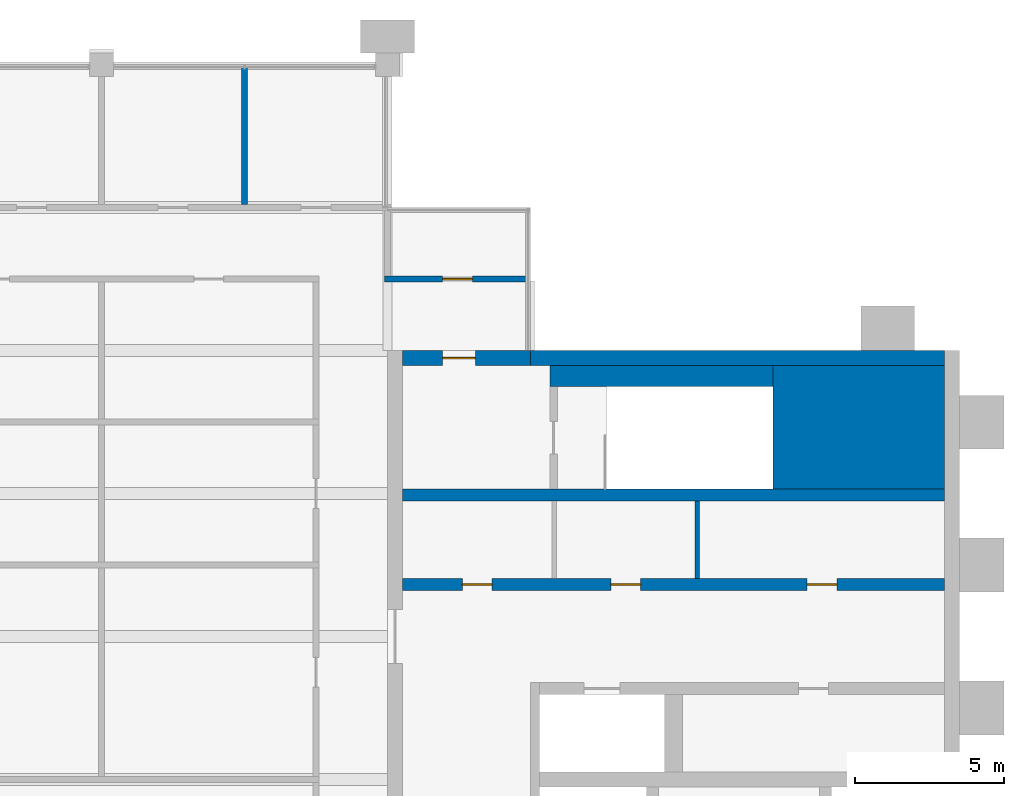
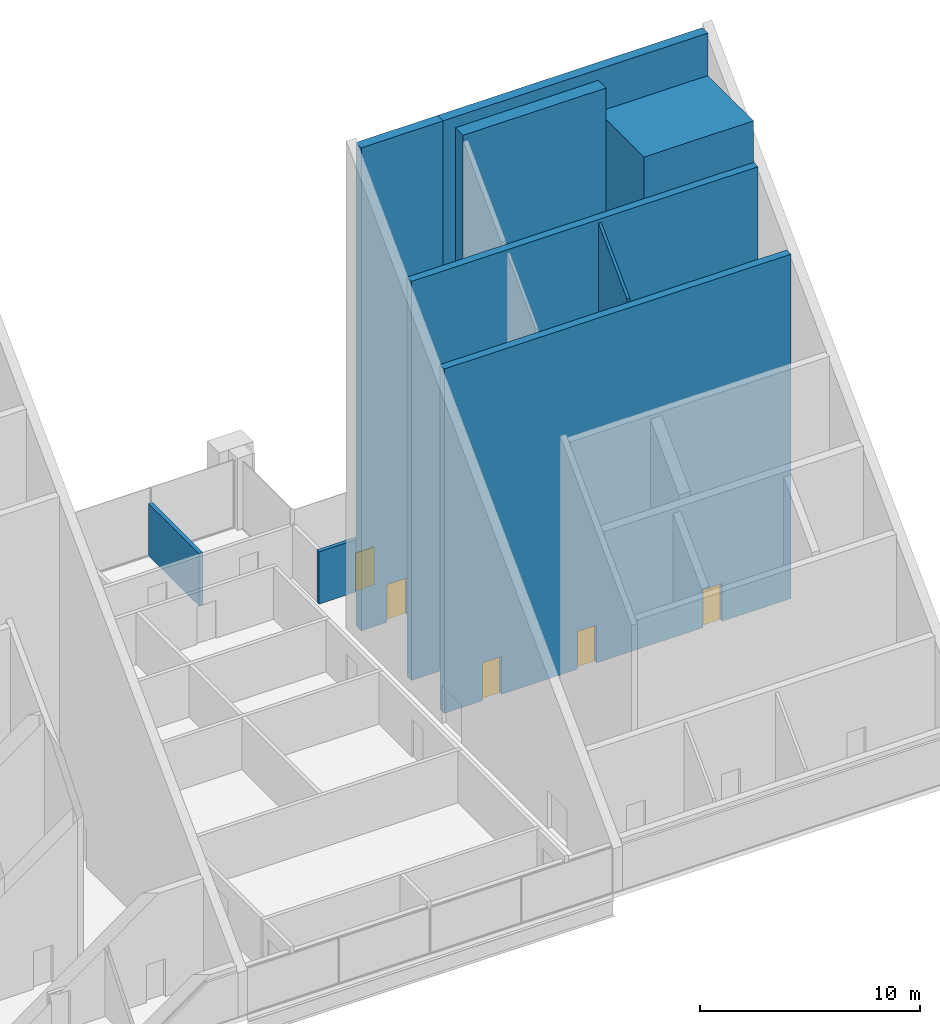
# One storey, part 11 of 12: 9 walls, 5 doors, 5 openings.
"""IFC4 building model written with IfcOpenShell, lengths in metres."""

from ifc_helpers import new_model, si_unit, direction, frame, frame_2d, origin, place, context, subcontext, project, spatial, polyline, rectangle, outline, extrude, material, layer, layer_set, type_object, element, fill, save


model = new_model("IFC4")

# Units and contexts
model_context = context("Model", 3, precision=1e-05, world=origin(), true_north=direction((0.0, 1.0)))
body_context = subcontext(model_context, "Body", "Model", "MODEL_VIEW")
ifc_project = project(units=[si_unit("LENGTHUNIT", "METRE"), si_unit("AREAUNIT", "SQUARE_METRE"), si_unit("VOLUMEUNIT", "CUBIC_METRE"), si_unit("PLANEANGLEUNIT", "RADIAN"), si_unit("MASSUNIT", "GRAM", prefix="KILO")], contexts=[model_context])

# Site, building, storey
site_placement = place(None, origin())
site = spatial("IfcSite", under=ifc_project, at=site_placement, CompositionType="ELEMENT")
building_placement = place(site_placement, origin())
building = spatial("IfcBuilding", under=site, at=building_placement, Name="Baori Bourse Tower", CompositionType="ELEMENT")
storey_placement = place(building_placement, frame((0.0, 0.0, 374.300048828125)))
storey = spatial("IfcBuildingStorey", under=building, at=storey_placement, Name="L84", CompositionType="ELEMENT", Elevation=374.300048828125)

# Walls
ifc_material_1 = material(Name="Concrete f'c 40 MPa", Category="concrete")
wall_type_1 = type_object("IfcWallType", Name="Core corner block f'c 40", PredefinedType="SHEAR", material=ifc_material_1)
wall_1_placement = place(storey_placement, frame((51.35009765625, 35.824951171875, 0.0), z_axis=(0.0, 0.0, 1.0), x_axis=(1.0, 0.0, 0.0)))
element("IfcWall", 1, at=wall_1_placement, inside=storey, type_object=wall_type_1, Name="Core wall E19", PredefinedType="SHEAR", context=body_context, shape_type="SweptSolid", body=[
    extrude(outline(polyline([(0.0, 0.0), (5.75, 0.0), (5.75, 24.460205078125), (0.0, 24.460205078125), (0.0, 0.0)])), frame((0.0, 2.074951171875, 0.0), z_axis=(0.0, -1.0, 0.0), x_axis=(1.0, 0.0, 0.0)), (0.0, 0.0, 1.0), 4.14990234375),
])
ifc_material_2 = material(Name="Blockwork partition", Category="masonry")
ifc_layer_1 = layer(ifc_material_2, 0.14990234375)
ifc_layer_set_1 = layer_set([ifc_layer_1], Name="Core partition 150")
wall_type_2 = type_object("IfcWallType", Name="Core partition 150", PredefinedType="PARTITIONING", material=ifc_layer_set_1)
wall_2_placement = place(storey_placement, frame((48.800048828125, 30.75, 0.0), z_axis=(0.0, 0.0, 1.0), x_axis=(0.0, 1.0, 0.0)))
element("IfcWall", 2, at=wall_2_placement, inside=storey, type_object=wall_type_2, Name="Partition wall E16", PredefinedType="PARTITIONING", context=body_context, shape_type="SweptSolid", body=[
    extrude(outline(polyline([(0.0, 0.0), (2.60009765625, 0.0), (2.60009765625, 21.954345703125), (0.0, 19.32177734375), (0.0, 0.0)])), frame((0.0, 0.074951171875, 0.0), z_axis=(0.0, -1.0, 0.0), x_axis=(1.0, 0.0, 0.0)), (0.0, 0.0, 1.0), 0.14990234375),
])
ifc_material_3 = material(Name="Concrete f'c 40 MPa", Category="concrete")
ifc_layer_2 = layer(ifc_material_3, 0.5)
ifc_layer_set_2 = layer_set([ifc_layer_2], Name="Core wall 500 f'c 40")
wall_type_3 = type_object("IfcWallType", Name="Core wall 500 f'c 40", PredefinedType="SHEAR", material=ifc_layer_set_2)
wall_3_placement = place(storey_placement, frame((43.199951171875, 38.14990234375, 0.0), z_axis=(0.0, 0.0, 1.0), x_axis=(1.0, 0.0, 0.0)))
element("IfcWall", 3, at=wall_3_placement, inside=storey, type_object=wall_type_3, Name="Core wall E22", PredefinedType="SHEAR", context=body_context, shape_type="SweptSolid", body=[
    extrude(outline(polyline([(0.0, 0.0), (13.900146484375, 0.0), (13.89990234375, 26.814208984375), (0.0, 26.814208984375), (0.0, 0.0)])), frame((0.0, 0.25, 0.0), z_axis=(0.0, -1.0, 0.0), x_axis=(1.0, 0.0, 0.0)), (0.0, 0.0, 1.0), 0.5),
])

# Wall, opening, door
wall_4_placement = place(storey_placement, frame((38.89990234375, 38.14990234375, 0.0), z_axis=(0.0, 0.0, 1.0), x_axis=(1.0, 0.0, 0.0)))
wall_4 = element("IfcWall", 4, at=wall_4_placement, inside=storey, type_object=wall_type_3, Name="Core wall E23", PredefinedType="SHEAR", context=body_context, shape_type="SweptSolid", body=[
    extrude(outline(polyline([(0.0, 0.0), (4.300048828125, 0.0), (4.300048828125, 26.814208984375), (0.0, 26.814208984375), (0.0, 0.0)])), frame((0.0, 0.25, 0.0), z_axis=(0.0, -1.0, 0.0), x_axis=(1.0, 0.0, 0.0)), (0.0, 0.0, 1.0), 0.5),
])
opening_1_placement = place(wall_4_placement, frame((1.35009765625, 0.0, 0.0)))
opening_1 = element("IfcOpeningElement", 5, at=opening_1_placement, cuts=wall_4, Name="Opening L84-D202", PredefinedType="OPENING", context=body_context, shape_type="SweptSolid", body=[
    extrude(rectangle(XDim=1.10009765625, YDim=2.10009765625, at=frame_2d((0.550048828125, 1.050048828125))), frame((0.0, 0.260009765625, 0.0), z_axis=(0.0, -1.0, 0.0), x_axis=(1.0, 0.0, 0.0)), (0.0, 0.0, 1.0), 0.52001953125),
])
ifc_material_4 = material(Name="Painted steel door", Category="steel")
door_type_1 = type_object("IfcDoorType", Name="Stair door 1100", OperationType="SINGLE_SWING_LEFT", PredefinedType="DOOR", material=ifc_material_4)
door_1_placement = place(opening_1_placement, origin())
door_1 = element("IfcDoor", 6, at=door_1_placement, inside=storey, type_object=door_type_1, Name="Stair vestibule door B E L84", OperationType="SINGLE_SWING_LEFT", OverallHeight=2.10009765625, OverallWidth=1.10009765625, PredefinedType="DOOR", context=body_context, shape_type="SweptSolid", body=[
    extrude(rectangle(XDim=1.10009765625, YDim=2.10009765625, at=frame_2d((0.550048828125, 1.050048828125))), frame((0.0, 0.02490234375, 0.0), z_axis=(0.0, -1.0, 0.0), x_axis=(1.0, 0.0, 0.0)), (0.0, 0.0, 1.0), 0.050048828125),
])
fill(opening_1, door_1)

ifc_material_5 = material(Name="Gypsum board partition")
ifc_layer_3 = layer(ifc_material_5, 0.199951171875)
ifc_layer_set_3 = layer_set([ifc_layer_3], Name="Plant room wall 200")
wall_type_4 = type_object("IfcWallType", Name="Plant room wall 200", PredefinedType="PARTITIONING", material=ifc_layer_set_3)
wall_5_placement = place(storey_placement, frame((38.300048828125, 40.800048828125, 0.0), z_axis=(0.0, 0.0, 1.0), x_axis=(1.0, 0.0, 0.0)))
wall_5 = element("IfcWall", 7, at=wall_5_placement, inside=storey, type_object=wall_type_4, Name="Partition", PredefinedType="PARTITIONING", context=body_context, shape_type="SweptSolid", body=[
    extrude(rectangle(XDim=4.800048828125, YDim=0.199951171875, at=frame_2d((2.39990234375, 0.0))), origin(), (0.0, 0.0, 1.0), 2.89990234375),
])
opening_2_placement = place(wall_5_placement, frame((1.949951171875, 0.0, 0.0)))
opening_2 = element("IfcOpeningElement", 8, at=opening_2_placement, cuts=wall_5, Name="Opening L84-D04", PredefinedType="OPENING", context=body_context, shape_type="SweptSolid", body=[
    extrude(rectangle(XDim=1.0, YDim=2.10009765625, at=frame_2d((0.5, 1.050048828125))), frame((0.0, 0.10986328125, 0.0), z_axis=(0.0, -1.0, 0.0), x_axis=(1.0, 0.0, 0.0)), (0.0, 0.0, 1.0), 0.219970703125),
])
ifc_material_6 = material(Name="Timber door leaf", Category="wood")
door_type_2 = type_object("IfcDoorType", Name="Door 1000 x 2100", OperationType="SINGLE_SWING_LEFT", PredefinedType="DOOR", material=ifc_material_6)
door_2_placement = place(opening_2_placement, origin())
door_2 = element("IfcDoor", 9, at=door_2_placement, inside=storey, type_object=door_type_2, Name="Door", OperationType="SINGLE_SWING_LEFT", OverallHeight=2.10009765625, OverallWidth=1.0, PredefinedType="DOOR", context=body_context, shape_type="SweptSolid", body=[
    extrude(rectangle(XDim=1.0, YDim=2.10009765625, at=frame_2d((0.5, 1.050048828125))), frame((0.0, 0.02490234375, 0.0), z_axis=(0.0, -1.0, 0.0), x_axis=(1.0, 0.0, 0.0)), (0.0, 0.0, 1.0), 0.050048828125),
])
fill(opening_2, door_2)

# Wall
wall_6_placement = place(storey_placement, frame((33.60009765625, 43.300048828125, 0.0), z_axis=(0.0, 0.0, 1.0), x_axis=(0.0, 1.0, 0.0)))
element("IfcWall", 10, at=wall_6_placement, inside=storey, type_object=wall_type_4, Name="Partition", PredefinedType="PARTITIONING", context=body_context, shape_type="SweptSolid", body=[
    extrude(rectangle(XDim=4.599853515625, YDim=0.199951171875, at=frame_2d((2.2998046875, 0.0))), origin(), (0.0, 0.0, 1.0), 2.89990234375),
])

# Wall, openings, doors
ifc_material_7 = material(Name="Concrete f'c 40 MPa", Category="concrete")
ifc_layer_4 = layer(ifc_material_7, 0.39990234375)
ifc_layer_set_4 = layer_set([ifc_layer_4], Name="Shaft wall 400 f'c 40")
wall_type_5 = type_object("IfcWallType", Name="Shaft wall 400 f'c 40", PredefinedType="SHEAR", material=ifc_layer_set_4)
wall_7_placement = place(storey_placement, frame((38.89990234375, 30.550048828125, 0.0), z_axis=(0.0, 0.0, 1.0), x_axis=(1.0, 0.0, 0.0)))
wall_7 = element("IfcWall", 11, at=wall_7_placement, inside=storey, type_object=wall_type_5, Name="Core wall E15", PredefinedType="SHEAR", context=body_context, shape_type="SweptSolid", body=[
    extrude(outline(polyline([(0.0, 0.0), (18.2001953125, 0.0), (18.199951171875, 19.119384765625), (0.0, 19.119384765625), (0.0, 0.0)])), frame((0.0, 0.199951171875, 0.0), z_axis=(0.0, -1.0, 0.0), x_axis=(1.0, 0.0, 0.0)), (0.0, 0.0, 1.0), 0.39990234375),
])
opening_3_placement = place(wall_7_placement, frame((13.58740234375, 0.0, 0.0)))
opening_3 = element("IfcOpeningElement", 12, at=opening_3_placement, cuts=wall_7, Name="Opening L84-D207", PredefinedType="OPENING", context=body_context, shape_type="SweptSolid", body=[
    extrude(rectangle(XDim=1.0, YDim=2.10009765625, at=frame_2d((0.5, 1.050048828125))), frame((0.0, 0.2099609375, 0.0), z_axis=(0.0, -1.0, 0.0), x_axis=(1.0, 0.0, 0.0)), (0.0, 0.0, 1.0), 0.419921875),
])
opening_4_placement = place(wall_7_placement, frame((7.0, 0.0, 0.0)))
opening_4 = element("IfcOpeningElement", 13, at=opening_4_placement, cuts=wall_7, Name="Opening L84-D208", PredefinedType="OPENING", context=body_context, shape_type="SweptSolid", body=[
    extrude(rectangle(XDim=1.0, YDim=2.10009765625, at=frame_2d((0.5, 1.050048828125))), frame((0.0, 0.2099609375, 0.0), z_axis=(0.0, -1.0, 0.0), x_axis=(1.0, 0.0, 0.0)), (0.0, 0.0, 1.0), 0.419921875),
])
opening_5_placement = place(wall_7_placement, frame((2.012451171875, 0.0, 0.0)))
opening_5 = element("IfcOpeningElement", 14, at=opening_5_placement, cuts=wall_7, Name="Opening L84-D209", PredefinedType="OPENING", context=body_context, shape_type="SweptSolid", body=[
    extrude(rectangle(XDim=1.0, YDim=2.10009765625, at=frame_2d((0.5, 1.050048828125))), frame((0.0, 0.2099609375, 0.0), z_axis=(0.0, -1.0, 0.0), x_axis=(1.0, 0.0, 0.0)), (0.0, 0.0, 1.0), 0.419921875),
])
ifc_material_8 = material(Name="Painted steel door", Category="steel")
door_type_3 = type_object("IfcDoorType", Name="Plant room door 1000", OperationType="SINGLE_SWING_LEFT", PredefinedType="DOOR", material=ifc_material_8)
door_3_placement = place(opening_3_placement, origin())
door_3 = element("IfcDoor", 15, at=door_3_placement, inside=storey, type_object=door_type_3, Name="Air Handling Fan Room door E L84", OperationType="SINGLE_SWING_LEFT", OverallHeight=2.10009765625, OverallWidth=1.0, PredefinedType="DOOR", context=body_context, shape_type="SweptSolid", body=[
    extrude(rectangle(XDim=1.0, YDim=2.10009765625, at=frame_2d((0.5, 1.050048828125))), frame((0.0, 0.02490234375, 0.0), z_axis=(0.0, -1.0, 0.0), x_axis=(1.0, 0.0, 0.0)), (0.0, 0.0, 1.0), 0.050048828125),
])
fill(opening_3, door_3)
door_4_placement = place(opening_4_placement, origin())
door_4 = element("IfcDoor", 16, at=door_4_placement, inside=storey, type_object=door_type_3, Name="Electrical Room door E L84", OperationType="SINGLE_SWING_LEFT", OverallHeight=2.10009765625, OverallWidth=1.0, PredefinedType="DOOR", context=body_context, shape_type="SweptSolid", body=[
    extrude(rectangle(XDim=1.0, YDim=2.10009765625, at=frame_2d((0.5, 1.050048828125))), frame((0.0, 0.02490234375, 0.0), z_axis=(0.0, -1.0, 0.0), x_axis=(1.0, 0.0, 0.0)), (0.0, 0.0, 1.0), 0.050048828125),
])
fill(opening_4, door_4)
door_5_placement = place(opening_5_placement, origin())
door_5 = element("IfcDoor", 17, at=door_5_placement, inside=storey, type_object=door_type_3, Name="Mechanical Room door E L84", OperationType="SINGLE_SWING_LEFT", OverallHeight=2.10009765625, OverallWidth=1.0, PredefinedType="DOOR", context=body_context, shape_type="SweptSolid", body=[
    extrude(rectangle(XDim=1.0, YDim=2.10009765625, at=frame_2d((0.5, 1.050048828125))), frame((0.0, 0.02490234375, 0.0), z_axis=(0.0, -1.0, 0.0), x_axis=(1.0, 0.0, 0.0)), (0.0, 0.0, 1.0), 0.050048828125),
])
fill(opening_5, door_5)

# Walls
wall_8_placement = place(storey_placement, frame((38.89990234375, 33.550048828125, 0.0), z_axis=(0.0, 0.0, 1.0), x_axis=(1.0, 0.0, 0.0)))
element("IfcWall", 18, at=wall_8_placement, inside=storey, type_object=wall_type_5, Name="Core wall E18", PredefinedType="SHEAR", context=body_context, shape_type="SweptSolid", body=[
    extrude(outline(polyline([(0.0, 0.0), (18.2001953125, 0.0), (18.199951171875, 22.15673828125), (0.0, 22.15673828125), (0.0, 0.0)])), frame((0.0, 0.199951171875, 0.0), z_axis=(0.0, -1.0, 0.0), x_axis=(1.0, 0.0, 0.0)), (0.0, 0.0, 1.0), 0.39990234375),
])
ifc_material_9 = material(Name="Concrete f'c 40 MPa", Category="concrete")
ifc_layer_5 = layer(ifc_material_9, 0.699951171875)
ifc_layer_set_5 = layer_set([ifc_layer_5], Name="Shaft wall 700 f'c 40")
wall_type_6 = type_object("IfcWallType", Name="Shaft wall 700 f'c 40", PredefinedType="SHEAR", material=ifc_layer_set_5)
wall_9_placement = place(storey_placement, frame((43.85009765625, 37.550048828125, 0.0), z_axis=(0.0, 0.0, 1.0), x_axis=(1.0, 0.0, 0.0)))
element("IfcWall", 19, at=wall_9_placement, inside=storey, type_object=wall_type_6, Name="Core wall E21", PredefinedType="SHEAR", context=body_context, shape_type="SweptSolid", body=[
    extrude(outline(polyline([(0.0, 0.0), (7.5, 0.0), (7.5, 26.206787109375), (0.0, 26.206787109375), (0.0, 0.0)])), frame((0.0, 0.35009765625, 0.0), z_axis=(0.0, -1.0, 0.0), x_axis=(1.0, 0.0, 0.0)), (0.0, 0.0, 1.0), 0.699951171875),
])

save(model, "model.ifc")
